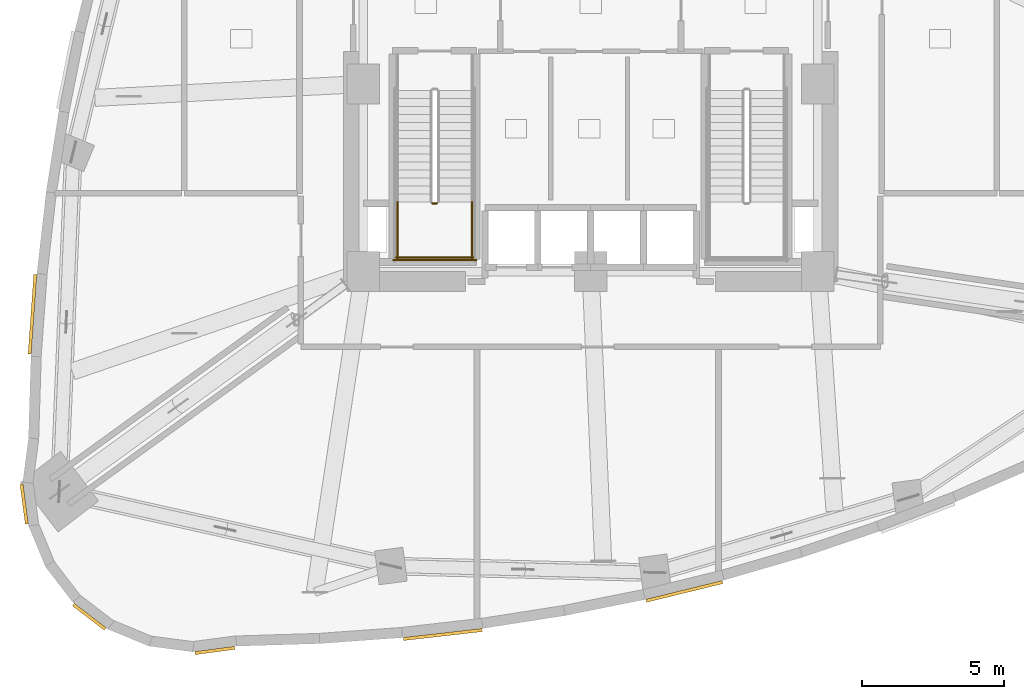
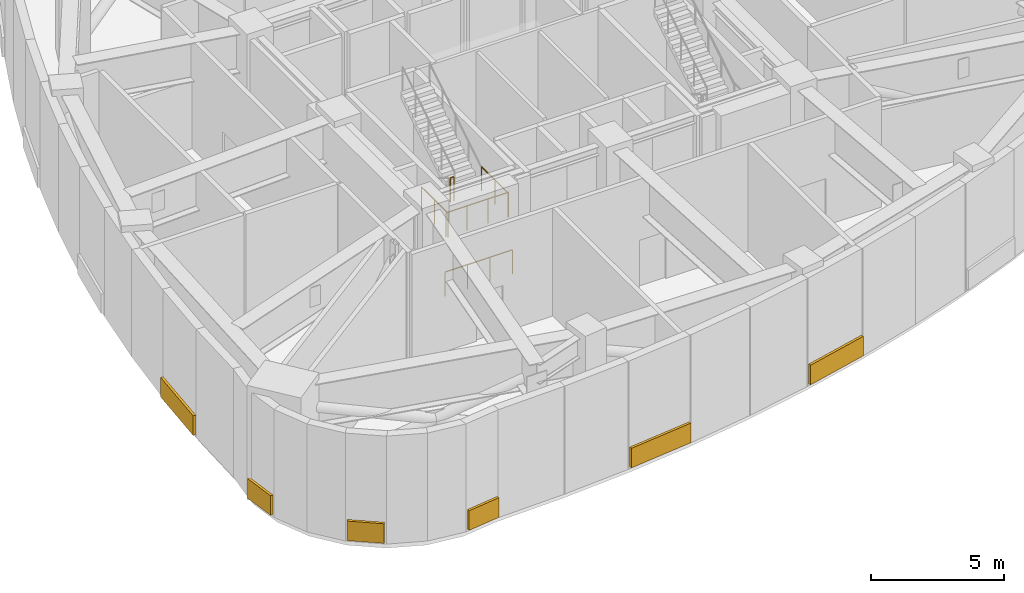
# One storey, part 10 of 13: 6 coverings, 5 railings.
"""IFC4 building model written with IfcOpenShell, lengths in metres."""

from ifc_helpers import new_model, si_unit, direction, frame, origin, origin_2d, place, context, subcontext, project, spatial, rectangle, circle, extrude, material, layer, layer_set, type_object, element, save


model = new_model("IFC4")

# Units and contexts
model_context = context("Model", 3, precision=1e-05, world=origin(), true_north=direction((0.0, 1.0)))
body_context = subcontext(model_context, "Body", "Model", "MODEL_VIEW")
ifc_project = project(units=[si_unit("LENGTHUNIT", "METRE"), si_unit("AREAUNIT", "SQUARE_METRE"), si_unit("VOLUMEUNIT", "CUBIC_METRE"), si_unit("PLANEANGLEUNIT", "RADIAN"), si_unit("MASSUNIT", "GRAM", prefix="KILO")], contexts=[model_context])

# Site, building, storey
site_placement = place(None, origin())
site = spatial("IfcSite", under=ifc_project, at=site_placement, CompositionType="ELEMENT")
building_placement = place(site_placement, origin())
building = spatial("IfcBuilding", under=site, at=building_placement, Name="Ndelora Gate Hotel", CompositionType="ELEMENT")
storey_placement = place(building_placement, frame((0.0, 0.0, 83.0)))
storey = spatial("IfcBuildingStorey", under=building, at=storey_placement, Name="L20", CompositionType="ELEMENT", Elevation=83.0)

# Coverings
ifc_material_1 = material(Name="Terracotta Fired Clay Brick Slip Cladding", Category="masonry")
ifc_layer_1 = layer(ifc_material_1, 0.110107421875)
ifc_layer_set_1 = layer_set([ifc_layer_1], Name="Terracotta Fired Clay Brick Slip Cladding")
covering_type = type_object("IfcCoveringType", Name="COV-CLAD-BRK", PredefinedType="CLADDING", material=ifc_layer_set_1)
covering_1_placement = place(storey_placement, frame((-19.646484375, -8.100830078125, 0.10009765625), z_axis=(0.0, 0.0, 1.0), x_axis=(0.0716715295, 0.997428289081, 0.0)))
element("IfcCovering", 1, at=covering_1_placement, inside=storey, type_object=covering_type, Name="L20 Rounded-Corner Brick Cladding Band 19", PredefinedType="CLADDING", context=body_context, shape_type="SweptSolid", body=[
    extrude(rectangle(XDim=2.81103515625, YDim=0.110107421875, at=origin_2d()), origin(), (0.0, 0.0, 1.0), 0.89990234375),
])
for number, where, z_axis, x_axis, name in (
    (2, (-19.93896484375, -14.787353515625, 0.10009765625), (0.0, 0.0, 1.0), (-0.13052619222, 0.991444861374, 0.0), "L20 Rounded-Corner Brick Cladding Band 22"),
    (3, (-17.64892578125, -18.753662109375, 0.10009765625), (0.0, 0.0, 1.0), (-0.793353340291, 0.608761429009, 0.0), "L20 Rounded-Corner Brick Cladding Band 25"),
    (4, (-13.22509765625, -19.93896484375, 0.10009765625), (0.0, 0.0, 1.0), (0.991444861374, 0.13052619222, 0.0), "L20 Rounded-Corner Brick Cladding Band 28"),
):
    element("IfcCovering", number, at=place(storey_placement, frame(where, z_axis=z_axis, x_axis=x_axis)), inside=storey, type_object=covering_type, Name=name, PredefinedType="CLADDING", context=body_context, shape_type="SweptSolid", body=[
        extrude(rectangle(XDim=1.4140625, YDim=0.110107421875, at=origin_2d()), origin(), (0.0, 0.0, 1.0), 0.89990234375),
    ])
covering_2_placement = place(storey_placement, frame((-5.202880859375, -19.3779296875, 0.10009765625), z_axis=(0.0, 0.0, 1.0), x_axis=(0.993591598232, 0.113029801042, 0.0)))
element("IfcCovering", 5, at=covering_2_placement, inside=storey, type_object=covering_type, Name="L20 Rounded-Corner Brick Cladding Band 31", PredefinedType="CLADDING", context=body_context, shape_type="SweptSolid", body=[
    extrude(rectangle(XDim=2.791015625, YDim=0.110107421875, at=origin_2d()), origin(), (0.0, 0.0, 1.0), 0.89990234375),
])
covering_3_placement = place(storey_placement, frame((3.30078125, -17.861083984375, 0.10009765625), z_axis=(0.0, 0.0, 1.0), x_axis=(0.971259042609, 0.238024940184, 0.0)))
element("IfcCovering", 6, at=covering_3_placement, inside=storey, type_object=covering_type, Name="L20 Rounded-Corner Brick Cladding Band 34", PredefinedType="CLADDING", context=body_context, shape_type="SweptSolid", body=[
    extrude(rectangle(XDim=2.760009765625, YDim=0.110107421875, at=origin_2d()), origin(), (0.0, 0.0, 1.0), 0.89990234375),
])

# Railings
ifc_material_2 = material(Name="Painted Galvanized Steel Balustrade", Category="steel")
ifc_layer_2 = layer(ifc_material_2, 0.06005859375)
ifc_layer_set_2 = layer_set([ifc_layer_2], Name="Painted Galvanized Steel Balustrade")
railing_type = type_object("IfcRailingType", Name="RL-STAIR-GD", PredefinedType="GUARDRAIL", material=ifc_layer_set_2)
railing_1_placement = place(storey_placement, frame((-5.570068359375, -4.199951171875, 2.625)))
element("IfcRailing", 7, at=railing_1_placement, inside=storey, type_object=railing_type, Name="L20 ST4 stair guard 2", PredefinedType="GUARDRAIL", context=body_context, shape_type="SweptSolid", body=[
    extrude(circle(Radius=0.02392578125, at=origin_2d()), frame((0.0, 0.0, 1.10595703125), z_axis=(1.0, 0.0, 0.0), x_axis=(0.0, 1.0, 0.0)), (0.0, 0.0, 1.0), 0.16015625),
    extrude(circle(Radius=0.02099609375, at=origin_2d()), origin(), (0.0, 0.0, 1.0), 1.081787109375),
    extrude(circle(Radius=0.02099609375, at=origin_2d()), frame((0.16015625, 0.0, 0.0)), (0.0, 0.0, 1.0), 1.081787109375),
])
for number, where, name in (
    (8, (-6.800048828125, -4.14990234375, 2.625), "L20 ST4 stair guard 3"),
    (9, (-4.179931640625, -4.14990234375, 2.625), "L20 ST4 stair guard 4"),
):
    element("IfcRailing", number, at=place(storey_placement, frame(where)), inside=storey, type_object=railing_type, Name=name, PredefinedType="GUARDRAIL", context=body_context, shape_type="SweptSolid", body=[
        extrude(circle(Radius=0.02392578125, at=origin_2d()), frame((0.0, 0.0, 1.10595703125), z_axis=(0.0, -1.0, 0.0), x_axis=(1.0, 0.0, 0.0)), (0.0, 0.0, 1.0), 2.0),
        extrude(circle(Radius=0.02099609375, at=origin_2d()), origin(), (0.0, 0.0, 1.0), 1.081787109375),
        extrude(circle(Radius=0.02099609375, at=origin_2d()), frame((0.0, -1.0, 0.0)), (0.0, 0.0, 1.0), 1.081787109375),
        extrude(circle(Radius=0.02099609375, at=origin_2d()), frame((0.0, -2.0, 0.0)), (0.0, 0.0, 1.0), 1.081787109375),
    ])
railing_2_placement = place(storey_placement, frame((-6.85009765625, -6.10009765625, 2.625)))
element("IfcRailing", 10, at=railing_2_placement, inside=storey, type_object=railing_type, Name="L20 ST4 stair guard 5", PredefinedType="GUARDRAIL", context=body_context, shape_type="SweptSolid", body=[
    extrude(circle(Radius=0.02392578125, at=origin_2d()), frame((0.0, 0.0, 1.10595703125), z_axis=(1.0, 0.0, 0.0), x_axis=(0.0, 1.0, 0.0)), (0.0, 0.0, 1.0), 2.72021484375),
    extrude(circle(Radius=0.02099609375, at=origin_2d()), origin(), (0.0, 0.0, 1.0), 1.081787109375),
    extrude(circle(Radius=0.02099609375, at=origin_2d()), frame((0.90673828125, 0.0, 0.0)), (0.0, 0.0, 1.0), 1.081787109375),
    extrude(circle(Radius=0.02099609375, at=origin_2d()), frame((1.8134765625, 0.0, 0.0)), (0.0, 0.0, 1.0), 1.081787109375),
    extrude(circle(Radius=0.02099609375, at=origin_2d()), frame((2.72021484375, 0.0, 0.0)), (0.0, 0.0, 1.0), 1.081787109375),
])
railing_3_placement = place(storey_placement, frame((-6.949951171875, -6.199951171875, 0.0)))
element("IfcRailing", 11, at=railing_3_placement, inside=storey, type_object=railing_type, Name="L20 ST4 stair guard 12", PredefinedType="GUARDRAIL", context=body_context, shape_type="SweptSolid", body=[
    extrude(circle(Radius=0.02392578125, at=origin_2d()), frame((0.0, 0.0, 1.10595703125), z_axis=(1.0, 0.0, 0.0), x_axis=(0.0, 1.0, 0.0)), (0.0, 0.0, 1.0), 2.919921875),
    extrude(circle(Radius=0.02099609375, at=origin_2d()), origin(), (0.0, 0.0, 1.0), 1.081787109375),
    extrude(circle(Radius=0.02099609375, at=origin_2d()), frame((0.973388671875, 0.0, 0.0)), (0.0, 0.0, 1.0), 1.081787109375),
    extrude(circle(Radius=0.02099609375, at=origin_2d()), frame((1.946533203125, 0.0, 0.0)), (0.0, 0.0, 1.0), 1.081787109375),
    extrude(circle(Radius=0.02099609375, at=origin_2d()), frame((2.919921875, 0.0, 0.0)), (0.0, 0.0, 1.0), 1.081787109375),
])

save(model, "model.ifc")
